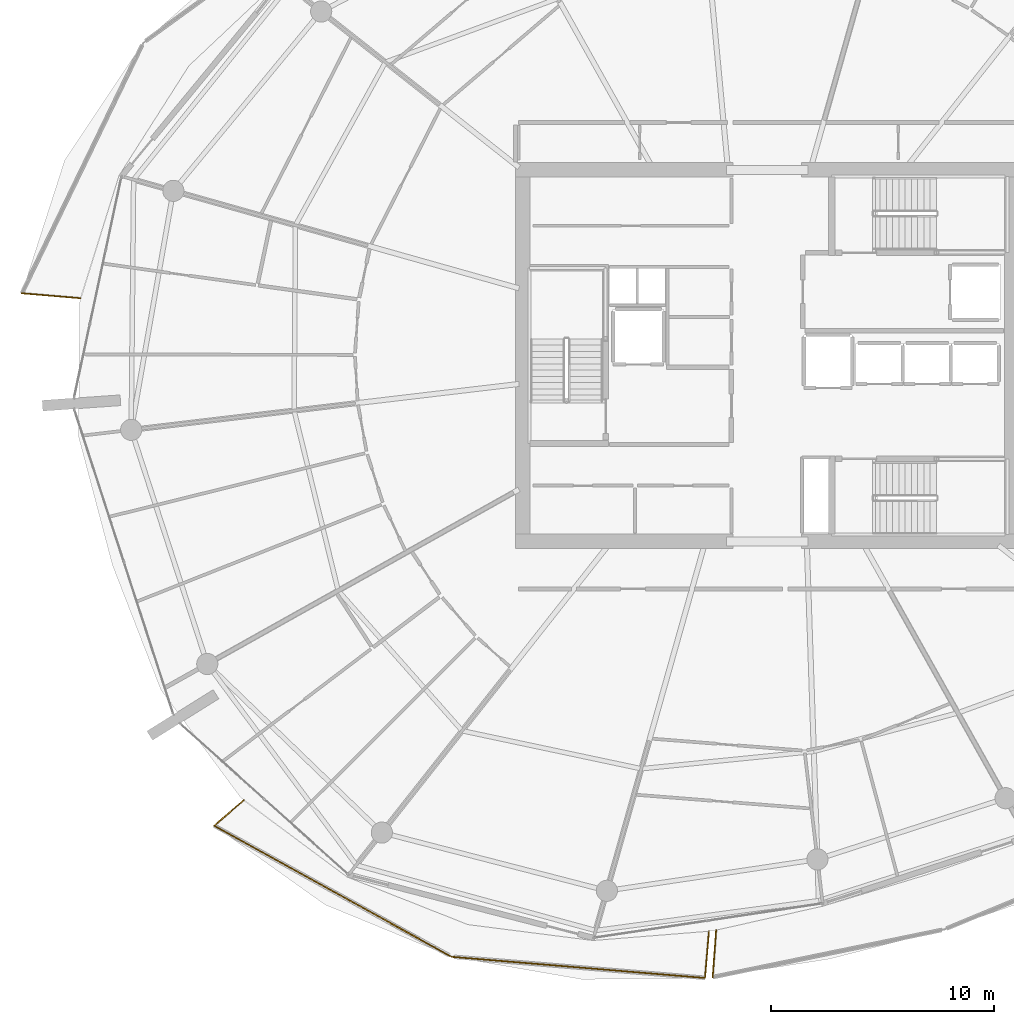
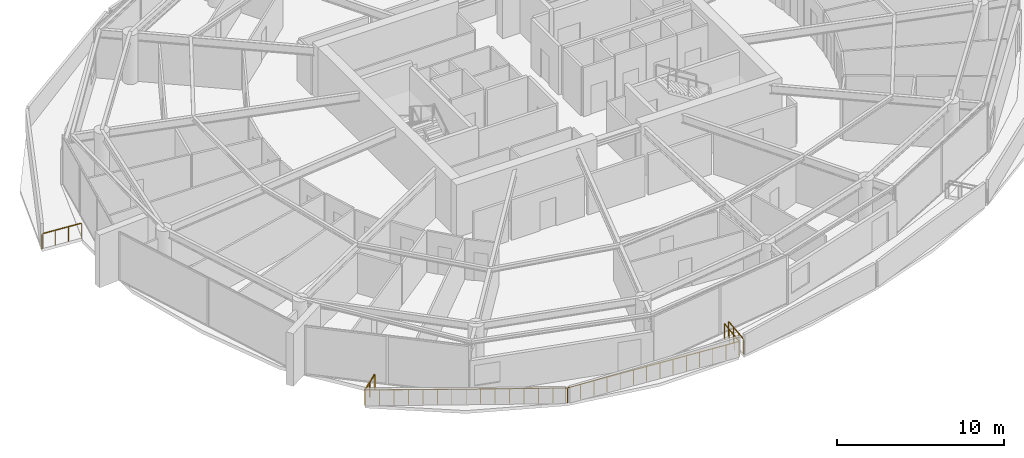
# One storey, part 25 of 31: 6 railings.
"""IFC4 building model written with IfcOpenShell, lengths in metres."""

from ifc_helpers import new_model, si_unit, direction, frame, origin, origin_2d, place, context, subcontext, project, spatial, rectangle, extrude, material, type_object, element, save


model = new_model("IFC4")

# Units and contexts
model_context = context("Model", 3, precision=1e-05, world=origin(), true_north=direction((0.0, 1.0)))
body_context = subcontext(model_context, "Body", "Model", "MODEL_VIEW")
ifc_project = project(units=[si_unit("LENGTHUNIT", "METRE"), si_unit("AREAUNIT", "SQUARE_METRE"), si_unit("VOLUMEUNIT", "CUBIC_METRE"), si_unit("PLANEANGLEUNIT", "RADIAN"), si_unit("MASSUNIT", "GRAM", prefix="KILO")], contexts=[model_context])

# Site, building, storey
site_placement = place(None, origin())
site = spatial("IfcSite", under=ifc_project, at=site_placement, CompositionType="ELEMENT")
building_placement = place(site_placement, origin())
building = spatial("IfcBuilding", under=site, at=building_placement, Name="Kazma Halo Residences", CompositionType="ELEMENT")
storey_placement = place(building_placement, frame((0.0, 0.0, 259.800048828125)))
storey = spatial("IfcBuildingStorey", under=building, at=storey_placement, Name="L65", CompositionType="ELEMENT", Elevation=259.800048828125)

# Railings
ifc_material = material(Name="Aluminium AW-6063 T6 Brushed Cap Rail", Category="aluminium")
railing_type = type_object("IfcRailingType", Name="RLG-BAL-CAP-1120", PredefinedType="BALUSTRADE", material=ifc_material)
railing_1_placement = place(storey_placement, frame((15.0185546875, 44.798583984375, 0.0)))
element("IfcRailing", 1, at=railing_1_placement, inside=storey, type_object=railing_type, Name="L65 NW wave balcony guard 4", PredefinedType="BALUSTRADE", context=body_context, shape_type="SweptSolid", body=[
    extrude(rectangle(XDim=0.050048828125, YDim=0.050048828125, at=origin_2d()), frame((0.04248046875, -0.003662109375, 1.09521484375), z_axis=(0.996415768752, -0.084590872927, 0.0), x_axis=(0.084590872927, 0.996415768752, 0.0)), (0.0, 0.0, 1.0), 2.5556640625),
    extrude(rectangle(XDim=0.0400390625, YDim=0.0400390625, at=origin_2d()), origin(), (0.0, 0.0, 1.0), 1.05810546875),
    extrude(rectangle(XDim=0.0400390625, YDim=0.0400390625, at=origin_2d()), frame((0.877197265625, -0.074462890625, 0.0)), (0.0, 0.0, 1.0), 1.05810546875),
    extrude(rectangle(XDim=0.0400390625, YDim=0.0400390625, at=origin_2d()), frame((1.754150390625, -0.14892578125, 0.0)), (0.0, 0.0, 1.0), 1.05810546875),
    extrude(rectangle(XDim=0.0400390625, YDim=0.0400390625, at=origin_2d()), frame((2.63134765625, -0.223388671875, 0.0)), (0.0, 0.0, 1.0), 1.05810546875),
])
railing_2_placement = place(storey_placement, frame((24.9599609375, 22.0771484375, 0.0)))
element("IfcRailing", 2, at=railing_2_placement, inside=storey, type_object=railing_type, Name="L65 SW wave balcony guard 1", PredefinedType="BALUSTRADE", context=body_context, shape_type="SweptSolid", body=[
    extrude(rectangle(XDim=0.050048828125, YDim=0.050048828125, at=origin_2d()), frame((-0.0322265625, -0.02783203125, 1.09521484375), z_axis=(-0.756417381083, -0.654089248953, 0.0), x_axis=(0.654089248953, -0.756417381083, 0.0)), (0.0, 0.0, 1.0), 1.661376953125),
    extrude(rectangle(XDim=0.0400390625, YDim=0.0400390625, at=origin_2d()), origin(), (0.0, 0.0, 1.0), 1.05810546875),
    extrude(rectangle(XDim=0.0400390625, YDim=0.0400390625, at=origin_2d()), frame((-0.66064453125, -0.5712890625, 0.0)), (0.0, 0.0, 1.0), 1.05810546875),
    extrude(rectangle(XDim=0.0400390625, YDim=0.0400390625, at=origin_2d()), frame((-1.321044921875, -1.142333984375, 0.0)), (0.0, 0.0, 1.0), 1.05810546875),
])
railing_3_placement = place(storey_placement, frame((23.638916015625, 20.934814453125, 0.0)))
element("IfcRailing", 3, at=railing_3_placement, inside=storey, type_object=railing_type, Name="L65 SW wave balcony guard 2", PredefinedType="BALUSTRADE", context=body_context, shape_type="SweptSolid", body=[
    extrude(rectangle(XDim=0.050048828125, YDim=0.050048828125, at=origin_2d()), frame((0.037353515625, -0.0205078125, 1.09521484375), z_axis=(0.875457487353, -0.483295135334, 0.0), x_axis=(0.483295135334, 0.875457487353, 0.0)), (0.0, 0.0, 1.0), 12.06396484375),
    extrude(rectangle(XDim=0.0400390625, YDim=0.0400390625, at=origin_2d()), origin(), (0.0, 0.0, 1.0), 1.05810546875),
    extrude(rectangle(XDim=0.0400390625, YDim=0.0400390625, at=origin_2d()), frame((0.759765625, -0.41943359375, 0.0)), (0.0, 0.0, 1.0), 1.05810546875),
    extrude(rectangle(XDim=0.0400390625, YDim=0.0400390625, at=origin_2d()), frame((1.51953125, -0.8388671875, 0.0)), (0.0, 0.0, 1.0), 1.05810546875),
    extrude(rectangle(XDim=0.0400390625, YDim=0.0400390625, at=origin_2d()), frame((2.279052734375, -1.25830078125, 0.0)), (0.0, 0.0, 1.0), 1.05810546875),
    extrude(rectangle(XDim=0.0400390625, YDim=0.0400390625, at=origin_2d()), frame((3.038818359375, -1.677490234375, 0.0)), (0.0, 0.0, 1.0), 1.05810546875),
    extrude(rectangle(XDim=0.0400390625, YDim=0.0400390625, at=origin_2d()), frame((3.798583984375, -2.096923828125, 0.0)), (0.0, 0.0, 1.0), 1.05810546875),
    extrude(rectangle(XDim=0.0400390625, YDim=0.0400390625, at=origin_2d()), frame((4.558349609375, -2.516357421875, 0.0)), (0.0, 0.0, 1.0), 1.05810546875),
    extrude(rectangle(XDim=0.0400390625, YDim=0.0400390625, at=origin_2d()), frame((5.31787109375, -2.935791015625, 0.0)), (0.0, 0.0, 1.0), 1.05810546875),
    extrude(rectangle(XDim=0.0400390625, YDim=0.0400390625, at=origin_2d()), frame((6.07763671875, -3.355224609375, 0.0)), (0.0, 0.0, 1.0), 1.05810546875),
    extrude(rectangle(XDim=0.0400390625, YDim=0.0400390625, at=origin_2d()), frame((6.83740234375, -3.774658203125, 0.0)), (0.0, 0.0, 1.0), 1.05810546875),
    extrude(rectangle(XDim=0.0400390625, YDim=0.0400390625, at=origin_2d()), frame((7.59716796875, -4.194091796875, 0.0)), (0.0, 0.0, 1.0), 1.05810546875),
    extrude(rectangle(XDim=0.0400390625, YDim=0.0400390625, at=origin_2d()), frame((8.35693359375, -4.61328125, 0.0)), (0.0, 0.0, 1.0), 1.05810546875),
    extrude(rectangle(XDim=0.0400390625, YDim=0.0400390625, at=origin_2d()), frame((9.116455078125, -5.03271484375, 0.0)), (0.0, 0.0, 1.0), 1.05810546875),
    extrude(rectangle(XDim=0.0400390625, YDim=0.0400390625, at=origin_2d()), frame((9.876220703125, -5.4521484375, 0.0)), (0.0, 0.0, 1.0), 1.05810546875),
    extrude(rectangle(XDim=0.0400390625, YDim=0.0400390625, at=origin_2d()), frame((10.635986328125, -5.87158203125, 0.0)), (0.0, 0.0, 1.0), 1.05810546875),
])
railing_4_placement = place(storey_placement, frame((34.27490234375, 15.063232421875, 0.0)))
element("IfcRailing", 4, at=railing_4_placement, inside=storey, type_object=railing_type, Name="L65 SW wave balcony guard 3", PredefinedType="BALUSTRADE", context=body_context, shape_type="SweptSolid", body=[
    extrude(rectangle(XDim=0.050048828125, YDim=0.050048828125, at=origin_2d()), frame((0.04248046875, -0.003662109375, 1.09521484375), z_axis=(0.996515855772, -0.08340353227, 0.0), x_axis=(0.08340353227, 0.996515855772, 0.0)), (0.0, 0.0, 1.0), 11.3134765625),
    extrude(rectangle(XDim=0.0400390625, YDim=0.0400390625, at=origin_2d()), origin(), (0.0, 0.0, 1.0), 1.05810546875),
    extrude(rectangle(XDim=0.0400390625, YDim=0.0400390625, at=origin_2d()), frame((0.873779296875, -0.0732421875, 0.0)), (0.0, 0.0, 1.0), 1.05810546875),
    extrude(rectangle(XDim=0.0400390625, YDim=0.0400390625, at=origin_2d()), frame((1.74755859375, -0.146240234375, 0.0)), (0.0, 0.0, 1.0), 1.05810546875),
    extrude(rectangle(XDim=0.0400390625, YDim=0.0400390625, at=origin_2d()), frame((2.621337890625, -0.219482421875, 0.0)), (0.0, 0.0, 1.0), 1.05810546875),
    extrude(rectangle(XDim=0.0400390625, YDim=0.0400390625, at=origin_2d()), frame((3.4951171875, -0.29248046875, 0.0)), (0.0, 0.0, 1.0), 1.05810546875),
    extrude(rectangle(XDim=0.0400390625, YDim=0.0400390625, at=origin_2d()), frame((4.368896484375, -0.36572265625, 0.0)), (0.0, 0.0, 1.0), 1.05810546875),
    extrude(rectangle(XDim=0.0400390625, YDim=0.0400390625, at=origin_2d()), frame((5.24267578125, -0.438720703125, 0.0)), (0.0, 0.0, 1.0), 1.05810546875),
    extrude(rectangle(XDim=0.0400390625, YDim=0.0400390625, at=origin_2d()), frame((6.1162109375, -0.511962890625, 0.0)), (0.0, 0.0, 1.0), 1.05810546875),
    extrude(rectangle(XDim=0.0400390625, YDim=0.0400390625, at=origin_2d()), frame((6.989990234375, -0.5849609375, 0.0)), (0.0, 0.0, 1.0), 1.05810546875),
    extrude(rectangle(XDim=0.0400390625, YDim=0.0400390625, at=origin_2d()), frame((7.86376953125, -0.658203125, 0.0)), (0.0, 0.0, 1.0), 1.05810546875),
    extrude(rectangle(XDim=0.0400390625, YDim=0.0400390625, at=origin_2d()), frame((8.737548828125, -0.731201171875, 0.0)), (0.0, 0.0, 1.0), 1.05810546875),
    extrude(rectangle(XDim=0.0400390625, YDim=0.0400390625, at=origin_2d()), frame((9.611328125, -0.804443359375, 0.0)), (0.0, 0.0, 1.0), 1.05810546875),
    extrude(rectangle(XDim=0.0400390625, YDim=0.0400390625, at=origin_2d()), frame((10.485107421875, -0.87744140625, 0.0)), (0.0, 0.0, 1.0), 1.05810546875),
    extrude(rectangle(XDim=0.0400390625, YDim=0.0400390625, at=origin_2d()), frame((11.35888671875, -0.95068359375, 0.0)), (0.0, 0.0, 1.0), 1.05810546875),
])
railing_5_placement = place(storey_placement, frame((45.6337890625, 14.112548828125, 0.0)))
element("IfcRailing", 5, at=railing_5_placement, inside=storey, type_object=railing_type, Name="L65 SW wave balcony guard 4", PredefinedType="BALUSTRADE", context=body_context, shape_type="SweptSolid", body=[
    extrude(rectangle(XDim=0.050048828125, YDim=0.050048828125, at=origin_2d()), frame((0.003662109375, 0.04248046875, 1.09521484375), z_axis=(0.084488057574, 0.996424491935, 0.0), x_axis=(-0.996424491935, 0.084488057574, 0.0)), (0.0, 0.0, 1.0), 2.015625),
    extrude(rectangle(XDim=0.0400390625, YDim=0.0400390625, at=origin_2d()), origin(), (0.0, 0.0, 1.0), 1.05810546875),
    extrude(rectangle(XDim=0.0400390625, YDim=0.0400390625, at=origin_2d()), frame((0.05908203125, 0.69775390625, 0.0)), (0.0, 0.0, 1.0), 1.05810546875),
    extrude(rectangle(XDim=0.0400390625, YDim=0.0400390625, at=origin_2d()), frame((0.118408203125, 1.3955078125, 0.0)), (0.0, 0.0, 1.0), 1.05810546875),
    extrude(rectangle(XDim=0.0400390625, YDim=0.0400390625, at=origin_2d()), frame((0.177490234375, 2.09326171875, 0.0)), (0.0, 0.0, 1.0), 1.05810546875),
])
railing_6_placement = place(storey_placement, frame((46.1318359375, 16.25390625, 0.0)))
element("IfcRailing", 6, at=railing_6_placement, inside=storey, type_object=railing_type, Name="L65 SSE wave balcony guard 1", PredefinedType="BALUSTRADE", context=body_context, shape_type="SweptSolid", body=[
    extrude(rectangle(XDim=0.050048828125, YDim=0.050048828125, at=origin_2d()), frame((-0.003173828125, -0.04248046875, 1.09521484375), z_axis=(-0.072264274911, -0.997385519532, 0.0), x_axis=(0.997385519532, -0.072264274911, 0.0)), (0.0, 0.0, 1.0), 2.02978515625),
    extrude(rectangle(XDim=0.0400390625, YDim=0.0400390625, at=origin_2d()), origin(), (0.0, 0.0, 1.0), 1.05810546875),
    extrude(rectangle(XDim=0.0400390625, YDim=0.0400390625, at=origin_2d()), frame((-0.051025390625, -0.703125, 0.0)), (0.0, 0.0, 1.0), 1.05810546875),
    extrude(rectangle(XDim=0.0400390625, YDim=0.0400390625, at=origin_2d()), frame((-0.101806640625, -1.40625, 0.0)), (0.0, 0.0, 1.0), 1.05810546875),
    extrude(rectangle(XDim=0.0400390625, YDim=0.0400390625, at=origin_2d()), frame((-0.15283203125, -2.109375, 0.0)), (0.0, 0.0, 1.0), 1.05810546875),
])

save(model, "model.ifc")
